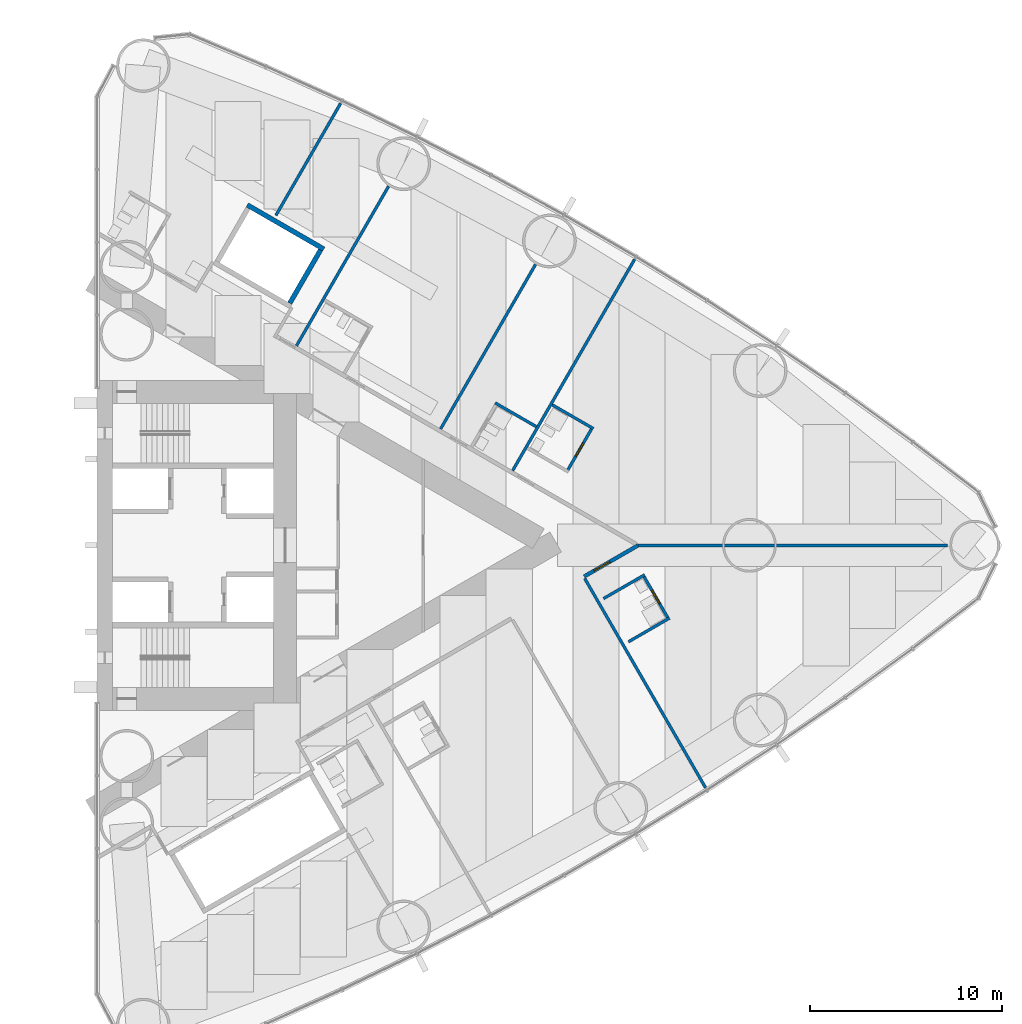
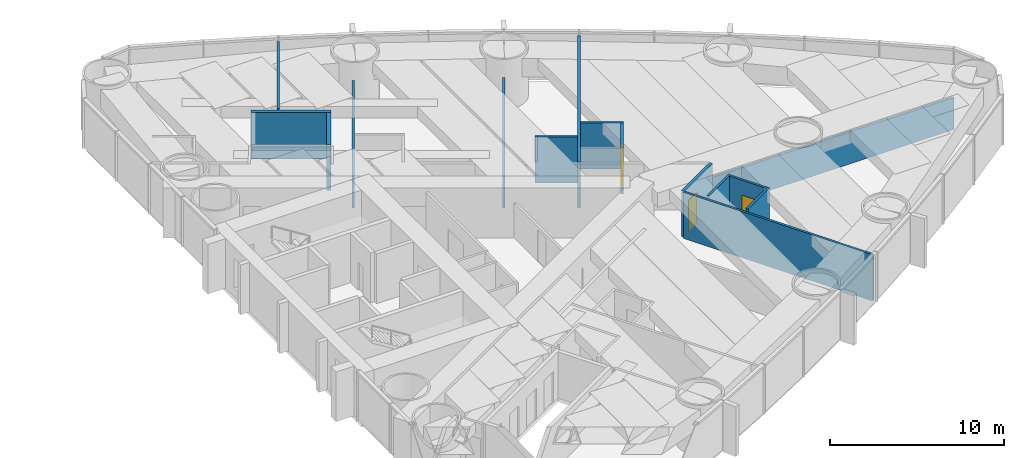
# One storey, part 16 of 19: 15 walls, 3 doors, 3 openings.
"""IFC4 building model written with IfcOpenShell, lengths in metres."""

from ifc_helpers import new_model, si_unit, direction, frame, frame_2d, origin, place, context, subcontext, project, spatial, rectangle, extrude, material, layer, layer_set, type_object, element, fill, save


model = new_model("IFC4")

# Units and contexts
model_context = context("Model", 3, precision=1e-05, world=origin(), true_north=direction((0.0, 1.0)))
body_context = subcontext(model_context, "Body", "Model", "MODEL_VIEW")
ifc_project = project(units=[si_unit("LENGTHUNIT", "METRE"), si_unit("AREAUNIT", "SQUARE_METRE"), si_unit("VOLUMEUNIT", "CUBIC_METRE"), si_unit("PLANEANGLEUNIT", "RADIAN"), si_unit("MASSUNIT", "GRAM", prefix="KILO")], contexts=[model_context])

# Site, building, storey
site_placement = place(None, origin())
site = spatial("IfcSite", under=ifc_project, at=site_placement, CompositionType="ELEMENT")
building_placement = place(site_placement, origin())
building = spatial("IfcBuilding", under=site, at=building_placement, Name="Lancet Gate Hotel", CompositionType="ELEMENT")
storey_placement = place(building_placement, frame((0.0, 0.0, 60.0)))
storey = spatial("IfcBuildingStorey", under=building, at=storey_placement, Name="L15", CompositionType="ELEMENT", Elevation=60.0)

# Wall
ifc_material_1 = material(Name="Moisture resistant board partition")
ifc_layer_1 = layer(ifc_material_1, 0.14990234375)
ifc_layer_set_1 = layer_set([ifc_layer_1], Name="Bathroom wall 150")
wall_type_1 = type_object("IfcWallType", Name="Bathroom wall 150", PredefinedType="PARTITIONING", material=ifc_layer_set_1)
wall_1_placement = place(storey_placement, frame((55.196044921875, -5.0263671875, 0.0), z_axis=(0.0, 0.0, 1.0), x_axis=(0.866073894602, 0.499916002032, 0.0)))
element("IfcWall", 1, at=wall_1_placement, inside=storey, type_object=wall_type_1, Name="T2 bathroom wall 150 L15", PredefinedType="PARTITIONING", context=body_context, shape_type="SweptSolid", body=[
    extrude(rectangle(XDim=2.47509765625, YDim=0.14990234375, at=frame_2d((1.237548828125, 0.0))), origin(), (0.0, 0.0, 1.0), 3.25),
])

# Wall, opening, door
wall_2_placement = place(storey_placement, frame((55.974609375, -1.57470703125, 0.0), z_axis=(0.0, 0.0, 1.0), x_axis=(0.500006934395, -0.866021400173, 0.0)))
wall_2 = element("IfcWall", 2, at=wall_2_placement, inside=storey, type_object=wall_type_1, Name="T2 bathroom wall 150 L15", PredefinedType="PARTITIONING", context=body_context, shape_type="SweptSolid", body=[
    extrude(rectangle(XDim=2.60009765625, YDim=0.14990234375, at=frame_2d((1.300048828125, 0.0))), origin(), (0.0, 0.0, 1.0), 3.25),
])
opening_1_placement = place(wall_2_placement, frame((0.89990234375, 0.0, 0.0)))
opening_1 = element("IfcOpeningElement", 3, at=opening_1_placement, cuts=wall_2, Name="Opening 1557-B", PredefinedType="OPENING", context=body_context, shape_type="SweptSolid", body=[
    extrude(rectangle(XDim=0.800048828125, YDim=2.199951171875, at=frame_2d((0.39990234375, 1.10009765625))), frame((0.0, 0.0849609375, 0.0), z_axis=(0.0, -1.0, 0.0), x_axis=(1.0, 0.0, 0.0)), (0.0, 0.0, 1.0), 0.169921875),
])
ifc_material_2 = material(Name="Timber door set", Category="wood")
door_type_1 = type_object("IfcDoorType", Name="Bathroom door 800", OperationType="SINGLE_SWING_RIGHT", PredefinedType="DOOR", material=ifc_material_2)
door_1_placement = place(opening_1_placement, origin())
door_1 = element("IfcDoor", 4, at=door_1_placement, inside=storey, type_object=door_type_1, Name="1557-B", OperationType="SINGLE_SWING_RIGHT", OverallHeight=2.199951171875, OverallWidth=0.800048828125, PredefinedType="DOOR", context=body_context, shape_type="SweptSolid", body=[
    extrude(rectangle(XDim=0.800048828125, YDim=2.199951171875, at=frame_2d((0.39990234375, 1.10009765625))), frame((0.0, 0.02490234375, 0.0), z_axis=(0.0, -1.0, 0.0), x_axis=(1.0, 0.0, 0.0)), (0.0, 0.0, 1.0), 0.050048828125),
])
fill(opening_1, door_1)

# Walls
wall_3_placement = place(storey_placement, frame((53.896240234375, -2.77490234375, 0.0), z_axis=(0.0, 0.0, 1.0), x_axis=(0.866006523861, 0.500032699561, 0.0)))
element("IfcWall", 5, at=wall_3_placement, inside=storey, type_object=wall_type_1, Name="T2 bathroom wall 150 L15", PredefinedType="PARTITIONING", context=body_context, shape_type="SweptSolid", body=[
    extrude(rectangle(XDim=2.474853515625, YDim=0.14990234375, at=frame_2d((1.2373046875, 0.0))), origin(), (0.0, 0.0, 1.0), 3.25),
])
wall_4_placement = place(storey_placement, frame((51.224365234375, 7.319580078125, 0.0), z_axis=(0.0, 0.0, 1.0), x_axis=(0.866031185235, -0.4999899861, 0.0)))
element("IfcWall", 6, at=wall_4_placement, inside=storey, type_object=wall_type_1, Name="T2 bathroom wall 150 L15", PredefinedType="PARTITIONING", context=body_context, shape_type="SweptSolid", body=[
    extrude(rectangle(XDim=2.47509765625, YDim=0.14990234375, at=frame_2d((1.237548828125, 0.0))), origin(), (0.0, 0.0, 1.0), 3.25),
])

# Wall, opening, door
wall_5_placement = place(storey_placement, frame((52.0029296875, 3.867919921875, 0.0), z_axis=(0.0, 0.0, 1.0), x_axis=(0.500047596559, 0.865997922154, 0.0)))
wall_5 = element("IfcWall", 7, at=wall_5_placement, inside=storey, type_object=wall_type_1, Name="T2 bathroom wall 150 L15", PredefinedType="PARTITIONING", context=body_context, shape_type="SweptSolid", body=[
    extrude(rectangle(XDim=2.599853515625, YDim=0.14990234375, at=frame_2d((1.2998046875, 0.0))), origin(), (0.0, 0.0, 1.0), 3.25),
])
opening_2_placement = place(wall_5_placement, frame((0.89990234375, 0.0, 0.0)))
opening_2 = element("IfcOpeningElement", 8, at=opening_2_placement, cuts=wall_5, Name="Opening 1558-B", PredefinedType="OPENING", context=body_context, shape_type="SweptSolid", body=[
    extrude(rectangle(XDim=0.800048828125, YDim=2.199951171875, at=frame_2d((0.39990234375, 1.10009765625))), frame((0.0, 0.0849609375, 0.0), z_axis=(0.0, -1.0, 0.0), x_axis=(1.0, 0.0, 0.0)), (0.0, 0.0, 1.0), 0.169921875),
])
door_2_placement = place(opening_2_placement, origin())
door_2 = element("IfcDoor", 9, at=door_2_placement, inside=storey, type_object=door_type_1, Name="1558-B", OperationType="SINGLE_SWING_RIGHT", OverallHeight=2.199951171875, OverallWidth=0.800048828125, PredefinedType="DOOR", context=body_context, shape_type="SweptSolid", body=[
    extrude(rectangle(XDim=0.800048828125, YDim=2.199951171875, at=frame_2d((0.39990234375, 1.10009765625))), frame((0.0, 0.02490234375, 0.0), z_axis=(0.0, -1.0, 0.0), x_axis=(1.0, 0.0, 0.0)), (0.0, 0.0, 1.0), 0.050048828125),
])
fill(opening_2, door_2)

# Wall
wall_6_placement = place(storey_placement, frame((48.251220703125, 7.419677734375, 0.0), z_axis=(0.0, 0.0, 1.0), x_axis=(0.866006523861, -0.500032699561, 0.0)))
element("IfcWall", 10, at=wall_6_placement, inside=storey, type_object=wall_type_1, Name="T2 bathroom wall 150 L15", PredefinedType="PARTITIONING", context=body_context, shape_type="SweptSolid", body=[
    extrude(rectangle(XDim=2.474853515625, YDim=0.14990234375, at=frame_2d((1.2373046875, 0.0))), origin(), (0.0, 0.0, 1.0), 3.25),
])

# Wall, opening, door
ifc_material_3 = material(Name="Gypsum board partition")
ifc_layer_2 = layer(ifc_material_3, 0.199951171875)
ifc_layer_set_2 = layer_set([ifc_layer_2], Name="Corridor wall 200")
wall_type_2 = type_object("IfcWallType", Name="Corridor wall 200", PredefinedType="PARTITIONING", material=ifc_layer_set_2)
wall_7_placement = place(storey_placement, frame((52.88623046875, -1.625732421875, 0.0), z_axis=(0.0, 0.0, 1.0), x_axis=(0.866030540913, 0.499991102127, 0.0)))
wall_7 = element("IfcWall", 11, at=wall_7_placement, inside=storey, type_object=wall_type_2, Name="T2 corridor wall 200 L15", PredefinedType="PARTITIONING", context=body_context, shape_type="SweptSolid", body=[
    extrude(rectangle(XDim=3.25146484375, YDim=0.199951171875, at=frame_2d((1.625732421875, 0.0))), origin(), (0.0, 0.0, 1.0), 3.25),
])
opening_3_placement = place(wall_7_placement, frame((0.60009765625, 0.0, 0.0)))
opening_3 = element("IfcOpeningElement", 12, at=opening_3_placement, cuts=wall_7, Name="Opening 1557-E", PredefinedType="OPENING", context=body_context, shape_type="SweptSolid", body=[
    extrude(rectangle(XDim=0.949951171875, YDim=2.199951171875, at=frame_2d((0.47509765625, 1.10009765625))), frame((0.0, 0.10986328125, 0.0), z_axis=(0.0, -1.0, 0.0), x_axis=(1.0, 0.0, 0.0)), (0.0, 0.0, 1.0), 0.219970703125),
])
ifc_material_4 = material(Name="Timber door set", Category="wood")
door_type_2 = type_object("IfcDoorType", Name="Guest room entry door 950", OperationType="SINGLE_SWING_LEFT", PredefinedType="DOOR", material=ifc_material_4)
door_3_placement = place(opening_3_placement, origin())
door_3 = element("IfcDoor", 13, at=door_3_placement, inside=storey, type_object=door_type_2, Name="1557-E", OperationType="SINGLE_SWING_LEFT", OverallHeight=2.199951171875, OverallWidth=0.949951171875, PredefinedType="DOOR", context=body_context, shape_type="SweptSolid", body=[
    extrude(rectangle(XDim=0.949951171875, YDim=2.199951171875, at=frame_2d((0.47509765625, 1.10009765625))), frame((0.0, 0.02490234375, 0.0), z_axis=(0.0, -1.0, 0.0), x_axis=(1.0, 0.0, 0.0)), (0.0, 0.0, 1.0), 0.050048828125),
])
fill(opening_3, door_3)

# Walls
ifc_material_5 = material(Name="Gypsum board partition")
ifc_layer_3 = layer(ifc_material_5, 0.25)
ifc_layer_set_3 = layer_set([ifc_layer_3], Name="Lift shaft partition 250")
wall_type_3 = type_object("IfcWallType", Name="Lift shaft partition 250", PredefinedType="PARTITIONING", material=ifc_layer_set_3)
wall_8_placement = place(storey_placement, frame((35.33349609375, 17.73583984375, 0.0), z_axis=(0.0, 0.0, 1.0), x_axis=(0.866043305498, -0.49996899204, 0.0)))
element("IfcWall", 14, at=wall_8_placement, inside=storey, type_object=wall_type_3, Name="T2 lift shaft wall EX L15", PredefinedType="PARTITIONING", context=body_context, shape_type="SweptSolid", body=[
    extrude(rectangle(XDim=4.600341796875, YDim=0.25, at=frame_2d((2.30029296875, 0.0))), origin(), (0.0, 0.0, 1.0), 3.25),
])
wall_9_placement = place(storey_placement, frame((37.546630859375, 12.617919921875, 0.0), z_axis=(0.0, 0.0, 1.0), x_axis=(0.499929347863, 0.866066190972, 0.0)))
element("IfcWall", 15, at=wall_9_placement, inside=storey, type_object=wall_type_3, Name="T2 lift shaft wall EX L15", PredefinedType="PARTITIONING", context=body_context, shape_type="SweptSolid", body=[
    extrude(rectangle(XDim=3.20068359375, YDim=0.25, at=frame_2d((1.600341796875, 0.0))), origin(), (0.0, 0.0, 1.0), 3.25),
])
ifc_material_6 = material(Name="Gypsum board partition")
ifc_layer_4 = layer(ifc_material_6, 0.14990234375)
ifc_layer_set_4 = layer_set([ifc_layer_4], Name="Party wall 150")
wall_type_4 = type_object("IfcWallType", Name="Party wall 150", PredefinedType="PARTITIONING", material=ifc_layer_set_4)
wall_10_placement = place(storey_placement, frame((52.914794921875, -1.724853515625, 0.0), z_axis=(0.0, 0.0, 1.0), x_axis=(0.499997163113, -0.866027041656, 0.0)))
element("IfcWall", 16, at=wall_10_placement, inside=storey, type_object=wall_type_4, Name="T2 party wall 150 L15", PredefinedType="PARTITIONING", context=body_context, shape_type="SweptSolid", body=[
    extrude(rectangle(XDim=12.5908203125, YDim=0.14990234375, at=frame_2d((6.29541015625, 0.0))), origin(), (0.0, 0.0, 1.0), 3.25),
])
wall_11_placement = place(storey_placement, frame((37.895263671875, 10.396484375, 0.0), z_axis=(0.0, 0.0, 1.0), x_axis=(0.499995616528, 0.866027934568, 0.0)))
element("IfcWall", 17, at=wall_11_placement, inside=storey, type_object=wall_type_4, Name="T2 party wall 150 L15", PredefinedType="PARTITIONING", context=body_context, shape_type="SweptSolid", body=[
    extrude(rectangle(XDim=9.59326171875, YDim=0.14990234375, at=frame_2d((4.796630859375, 0.0))), origin(), (0.0, 0.0, 1.0), 2.25),
])
wall_12_placement = place(storey_placement, frame((45.40283203125, 6.061767578125, 0.0), z_axis=(0.0, 0.0, 1.0), x_axis=(0.500013434677, 0.866017647131, 0.0)))
element("IfcWall", 18, at=wall_12_placement, inside=storey, type_object=wall_type_4, Name="T2 party wall 150 L15", PredefinedType="PARTITIONING", context=body_context, shape_type="SweptSolid", body=[
    extrude(rectangle(XDim=9.901611328125, YDim=0.14990234375, at=frame_2d((4.95068359375, 0.0))), origin(), (0.0, 0.0, 1.0), 2.25),
])
wall_13_placement = place(storey_placement, frame((49.159423828125, 3.892822265625, 0.0), z_axis=(0.0, 0.0, 1.0), x_axis=(0.499995664361, 0.866027906952, 0.0)))
element("IfcWall", 19, at=wall_13_placement, inside=storey, type_object=wall_type_4, Name="T2 party wall 150 L15", PredefinedType="PARTITIONING", context=body_context, shape_type="SweptSolid", body=[
    extrude(rectangle(XDim=12.71142578125, YDim=0.14990234375, at=frame_2d((6.355712890625, 0.0))), origin(), (0.0, 0.0, 1.0), 3.25),
])
wall_14_placement = place(storey_placement, frame((55.7021484375, 0.0, 0.0), z_axis=(0.0, 0.0, 1.0), x_axis=(1.0, 0.0, 0.0)))
element("IfcWall", 20, at=wall_14_placement, inside=storey, type_object=wall_type_4, Name="T2 party wall 150 L15", PredefinedType="PARTITIONING", context=body_context, shape_type="SweptSolid", body=[
    extrude(rectangle(XDim=16.116943359375, YDim=0.14990234375, at=frame_2d((8.05859375, 0.0))), origin(), (0.0, 0.0, 1.0), 2.25),
])
wall_15_placement = place(storey_placement, frame((36.823974609375, 17.19287109375, 0.0), z_axis=(0.0, 0.0, 1.0), x_axis=(0.500027691974, 0.866009415226, 0.0)))
element("IfcWall", 21, at=wall_15_placement, inside=storey, type_object=wall_type_4, Name="T2 party wall 150 L15", PredefinedType="PARTITIONING", context=body_context, shape_type="SweptSolid", body=[
    extrude(rectangle(XDim=6.73876953125, YDim=0.14990234375, at=frame_2d((3.369384765625, 0.0))), origin(), (0.0, 0.0, 1.0), 3.25),
])

save(model, "model.ifc")
